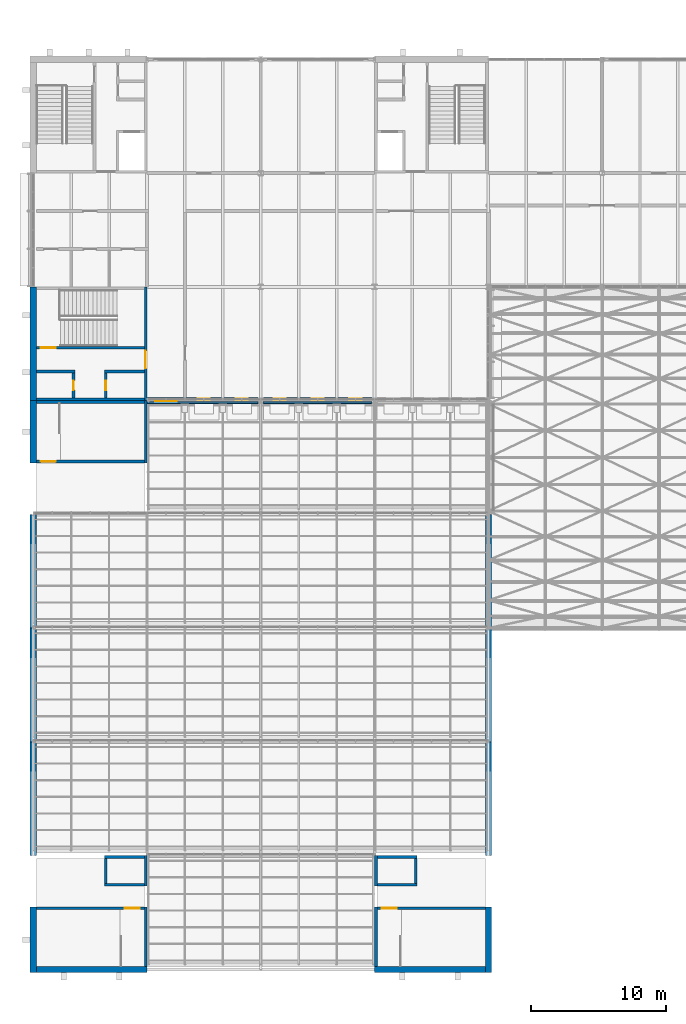
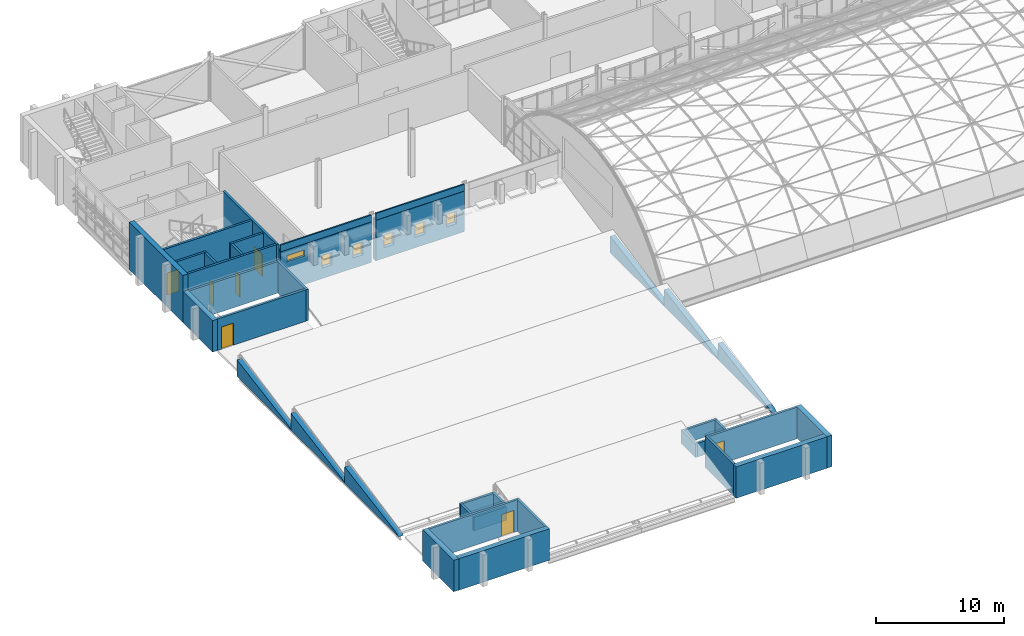
# One storey, part 82 of 121: 38 walls, 7 doors, 6 windows, 13 openings.
"""IFC4 building model written with IfcOpenShell, lengths in metres."""

from ifc_helpers import new_model, si_unit, direction, frame, frame_2d, origin, place, context, subcontext, project, spatial, polyline, rectangle, outline, extrude, material, layer, layer_set, type_object, element, fill, save


model = new_model("IFC4")

# Units and contexts
model_context = context("Model", 3, precision=1e-05, world=origin(), true_north=direction((0.0, 1.0)))
body_context = subcontext(model_context, "Body", "Model", "MODEL_VIEW")
ifc_project = project(units=[si_unit("LENGTHUNIT", "METRE"), si_unit("AREAUNIT", "SQUARE_METRE"), si_unit("VOLUMEUNIT", "CUBIC_METRE"), si_unit("PLANEANGLEUNIT", "RADIAN"), si_unit("MASSUNIT", "GRAM", prefix="KILO")], contexts=[model_context])

# Site, building, storey
site_placement = place(None, origin())
site = spatial("IfcSite", under=ifc_project, at=site_placement, CompositionType="ELEMENT")
building_placement = place(site_placement, origin())
building = spatial("IfcBuilding", under=site, at=building_placement, Name="Ardhachandra Cancer Care Centre", CompositionType="ELEMENT")
storey_placement = place(building_placement, frame((0.0, 0.0, 9.0)))
storey = spatial("IfcBuildingStorey", under=building, at=storey_placement, Name="L02", CompositionType="ELEMENT", Elevation=9.0)

# Wall, openings, windows
ifc_material_1 = material(Name="Brick masonry (clay brick, cement mortar) with mineral wool cavity insulation", Category="masonry")
ifc_layer_1 = layer(ifc_material_1, 0.449951171875)
ifc_layer_set_1 = layer_set([ifc_layer_1], Name="Brick masonry (clay brick, cement mortar) with mineral wool cavity insulation")
wall_type_1 = type_object("IfcWallType", Name="Brick wall 450", PredefinedType="SOLIDWALL", material=ifc_layer_set_1)
wall_1_placement = place(storey_placement, frame((19.199951171875, 71.39990234375, 0.0), z_axis=(0.0, 0.0, 1.0), x_axis=(1.0, 0.0, 0.0)))
wall_1 = element("IfcWall", 1, at=wall_1_placement, inside=storey, type_object=wall_type_1, Name="E/wall/L02/s/0019200_0071400", PredefinedType="SOLIDWALL", context=body_context, shape_type="SweptSolid", body=[
    extrude(rectangle(XDim=8.20458984375, YDim=0.449951171875, at=frame_2d((4.102294921875, 0.0))), origin(), (0.0, 0.0, 1.0), 3.85009765625),
])
opening_1_placement = place(wall_1_placement, frame((0.60009765625, 0.0, 2.699951171875)))
opening_1 = element("IfcOpeningElement", 2, at=opening_1_placement, cuts=wall_1, Name="Opening W3", PredefinedType="OPENING", context=body_context, shape_type="SweptSolid", body=[
    extrude(rectangle(XDim=1.60009765625, YDim=0.60009765625, at=frame_2d((0.800048828125, 0.300048828125))), frame((0.0, 0.23486328125, 0.0), z_axis=(0.0, -1.0, 0.0), x_axis=(1.0, 0.0, 0.0)), (0.0, 0.0, 1.0), 0.469970703125),
])
opening_2_placement = place(wall_1_placement, frame((3.75, 0.0, 1.0)))
opening_2 = element("IfcOpeningElement", 3, at=opening_2_placement, cuts=wall_1, Name="Opening W10", PredefinedType="OPENING", context=body_context, shape_type="SweptSolid", body=[
    extrude(rectangle(XDim=0.89990234375, YDim=1.199951171875, at=frame_2d((0.449951171875, 0.60009765625))), frame((0.0, 0.23486328125, 0.0), z_axis=(0.0, -1.0, 0.0), x_axis=(1.0, 0.0, 0.0)), (0.0, 0.0, 1.0), 0.469970703125),
])
opening_3_placement = place(wall_1_placement, frame((6.550048828125, 0.0, 1.0)))
opening_3 = element("IfcOpeningElement", 4, at=opening_3_placement, cuts=wall_1, Name="Opening W10", PredefinedType="OPENING", context=body_context, shape_type="SweptSolid", body=[
    extrude(rectangle(XDim=0.89990234375, YDim=1.199951171875, at=frame_2d((0.449951171875, 0.60009765625))), frame((0.0, 0.23486328125, 0.0), z_axis=(0.0, -1.0, 0.0), x_axis=(1.0, 0.0, 0.0)), (0.0, 0.0, 1.0), 0.469970703125),
])
ifc_material_2 = material(Name="Aluminium frame with double-glazed unit", Category="aluminium")
window_type_1 = type_object("IfcWindowType", Name="Clerestory window 1600 x 600", PartitioningType="SINGLE_PANEL", PredefinedType="WINDOW", material=ifc_material_2)
window_1_placement = place(opening_1_placement, origin())
window_1 = element("IfcWindow", 5, at=window_1_placement, inside=storey, type_object=window_type_1, Name="W3 window L02 s/0019200_0071400 1", OverallHeight=0.60009765625, OverallWidth=1.60009765625, PartitioningType="SINGLE_PANEL", PredefinedType="WINDOW", context=body_context, shape_type="SweptSolid", body=[
    extrude(rectangle(XDim=1.60009765625, YDim=0.60009765625, at=frame_2d((0.800048828125, 0.300048828125))), frame((0.0, 0.030029296875, 0.0), z_axis=(0.0, -1.0, 0.0), x_axis=(1.0, 0.0, 0.0)), (0.0, 0.0, 1.0), 0.06005859375),
])
fill(opening_1, window_1)
ifc_material_3 = material(Name="Aluminium frame with double-glazed unit", Category="aluminium")
window_type_2 = type_object("IfcWindowType", Name="Small deep-set window 900 x 1200", PartitioningType="SINGLE_PANEL", PredefinedType="WINDOW", material=ifc_material_3)
window_2_placement = place(opening_2_placement, origin())
window_2 = element("IfcWindow", 6, at=window_2_placement, inside=storey, type_object=window_type_2, Name="W10 window L02 s/0019200_0071400 2", OverallHeight=1.199951171875, OverallWidth=0.89990234375, PartitioningType="SINGLE_PANEL", PredefinedType="WINDOW", context=body_context, shape_type="SweptSolid", body=[
    extrude(rectangle(XDim=0.89990234375, YDim=1.199951171875, at=frame_2d((0.449951171875, 0.60009765625))), frame((0.0, 0.135009765625, 0.0), z_axis=(0.0, -1.0, 0.0), x_axis=(1.0, 0.0, 0.0)), (0.0, 0.0, 1.0), 0.06005859375),
])
fill(opening_2, window_2)
window_3_placement = place(opening_3_placement, origin())
window_3 = element("IfcWindow", 7, at=window_3_placement, inside=storey, type_object=window_type_2, Name="W10 window L02 s/0019200_0071400 3", OverallHeight=1.199951171875, OverallWidth=0.89990234375, PartitioningType="SINGLE_PANEL", PredefinedType="WINDOW", context=body_context, shape_type="SweptSolid", body=[
    extrude(rectangle(XDim=0.89990234375, YDim=1.199951171875, at=frame_2d((0.449951171875, 0.60009765625))), frame((0.0, 0.135009765625, 0.0), z_axis=(0.0, -1.0, 0.0), x_axis=(1.0, 0.0, 0.0)), (0.0, 0.0, 1.0), 0.06005859375),
])
fill(opening_3, window_3)

wall_2_placement = place(storey_placement, frame((27.79541015625, 71.39990234375, 0.0), z_axis=(0.0, 0.0, 1.0), x_axis=(1.0, 0.0, 0.0)))
wall_2 = element("IfcWall", 8, at=wall_2_placement, inside=storey, type_object=wall_type_1, Name="E/wall/L02/s/0027600_0071400", PredefinedType="SOLIDWALL", context=body_context, shape_type="SweptSolid", body=[
    extrude(rectangle(XDim=8.009033203125, YDim=0.449951171875, at=frame_2d((4.00439453125, 0.0))), origin(), (0.0, 0.0, 1.0), 3.85009765625),
])
opening_4_placement = place(wall_2_placement, frame((0.75439453125, 0.0, 1.0)))
opening_4 = element("IfcOpeningElement", 9, at=opening_4_placement, cuts=wall_2, Name="Opening W10", PredefinedType="OPENING", context=body_context, shape_type="SweptSolid", body=[
    extrude(rectangle(XDim=0.89990234375, YDim=1.199951171875, at=frame_2d((0.449951171875, 0.60009765625))), frame((0.0, 0.23486328125, 0.0), z_axis=(0.0, -1.0, 0.0), x_axis=(1.0, 0.0, 0.0)), (0.0, 0.0, 1.0), 0.469970703125),
])
opening_5_placement = place(wall_2_placement, frame((3.554443359375, 0.0, 1.0)))
opening_5 = element("IfcOpeningElement", 10, at=opening_5_placement, cuts=wall_2, Name="Opening W10", PredefinedType="OPENING", context=body_context, shape_type="SweptSolid", body=[
    extrude(rectangle(XDim=0.89990234375, YDim=1.199951171875, at=frame_2d((0.449951171875, 0.60009765625))), frame((0.0, 0.23486328125, 0.0), z_axis=(0.0, -1.0, 0.0), x_axis=(1.0, 0.0, 0.0)), (0.0, 0.0, 1.0), 0.469970703125),
])
opening_6_placement = place(wall_2_placement, frame((6.3544921875, 0.0, 1.0)))
opening_6 = element("IfcOpeningElement", 11, at=opening_6_placement, cuts=wall_2, Name="Opening W10", PredefinedType="OPENING", context=body_context, shape_type="SweptSolid", body=[
    extrude(rectangle(XDim=0.89990234375, YDim=1.199951171875, at=frame_2d((0.449951171875, 0.60009765625))), frame((0.0, 0.23486328125, 0.0), z_axis=(0.0, -1.0, 0.0), x_axis=(1.0, 0.0, 0.0)), (0.0, 0.0, 1.0), 0.469970703125),
])
window_4_placement = place(opening_4_placement, origin())
window_4 = element("IfcWindow", 12, at=window_4_placement, inside=storey, type_object=window_type_2, Name="W10 window L02 s/0027600_0071400 1", OverallHeight=1.199951171875, OverallWidth=0.89990234375, PartitioningType="SINGLE_PANEL", PredefinedType="WINDOW", context=body_context, shape_type="SweptSolid", body=[
    extrude(rectangle(XDim=0.89990234375, YDim=1.199951171875, at=frame_2d((0.449951171875, 0.60009765625))), frame((0.0, 0.135009765625, 0.0), z_axis=(0.0, -1.0, 0.0), x_axis=(1.0, 0.0, 0.0)), (0.0, 0.0, 1.0), 0.06005859375),
])
fill(opening_4, window_4)
window_5_placement = place(opening_5_placement, origin())
window_5 = element("IfcWindow", 13, at=window_5_placement, inside=storey, type_object=window_type_2, Name="W10 window L02 s/0027600_0071400 2", OverallHeight=1.199951171875, OverallWidth=0.89990234375, PartitioningType="SINGLE_PANEL", PredefinedType="WINDOW", context=body_context, shape_type="SweptSolid", body=[
    extrude(rectangle(XDim=0.89990234375, YDim=1.199951171875, at=frame_2d((0.449951171875, 0.60009765625))), frame((0.0, 0.135009765625, 0.0), z_axis=(0.0, -1.0, 0.0), x_axis=(1.0, 0.0, 0.0)), (0.0, 0.0, 1.0), 0.06005859375),
])
fill(opening_5, window_5)
window_6_placement = place(opening_6_placement, origin())
window_6 = element("IfcWindow", 14, at=window_6_placement, inside=storey, type_object=window_type_2, Name="W10 window L02 s/0027600_0071400 3", OverallHeight=1.199951171875, OverallWidth=0.89990234375, PartitioningType="SINGLE_PANEL", PredefinedType="WINDOW", context=body_context, shape_type="SweptSolid", body=[
    extrude(rectangle(XDim=0.89990234375, YDim=1.199951171875, at=frame_2d((0.449951171875, 0.60009765625))), frame((0.0, 0.135009765625, 0.0), z_axis=(0.0, -1.0, 0.0), x_axis=(1.0, 0.0, 0.0)), (0.0, 0.0, 1.0), 0.06005859375),
])
fill(opening_6, window_6)

# Walls
ifc_material_4 = material(Name="Concrete M40", Category="concrete")
ifc_layer_2 = layer(ifc_material_4, 0.449951171875)
ifc_layer_set_2 = layer_set([ifc_layer_2], Name="Concrete M40")
wall_type_2 = type_object("IfcWallType", Name="Core exterior wall RC 450", PredefinedType="SOLIDWALL", material=ifc_layer_set_2)
wall_3_placement = place(storey_placement, frame((10.800048828125, 29.175048828125, 0.0), z_axis=(0.0, 0.0, 1.0), x_axis=(0.0, 1.0, 0.0)))
element("IfcWall", 15, at=wall_3_placement, inside=storey, type_object=wall_type_2, Name="Stair head-house wall K1 FAR", PredefinedType="SOLIDWALL", context=body_context, shape_type="SweptSolid", body=[
    extrude(rectangle(XDim=4.849853515625, YDim=0.449951171875, at=frame_2d((2.4248046875, 0.0))), origin(), (0.0, 0.0, 1.0), 3.0),
])
wall_4_placement = place(storey_placement, frame((19.199951171875, 29.39990234375, 0.0), z_axis=(0.0, 0.0, 1.0), x_axis=(-1.0, 0.0, 0.0)))
element("IfcWall", 16, at=wall_4_placement, inside=storey, type_object=wall_type_2, Name="Stair head-house wall K1 UW", PredefinedType="SOLIDWALL", context=body_context, shape_type="SweptSolid", body=[
    extrude(rectangle(XDim=8.175048828125, YDim=0.449951171875, at=frame_2d((4.08740234375, 0.0))), origin(), (0.0, 0.0, 1.0), 3.0),
])
wall_5_placement = place(storey_placement, frame((44.39990234375, 29.175048828125, 0.0), z_axis=(0.0, 0.0, 1.0), x_axis=(0.0, 1.0, 0.0)))
element("IfcWall", 17, at=wall_5_placement, inside=storey, type_object=wall_type_2, Name="Stair head-house wall K2 FAR", PredefinedType="SOLIDWALL", context=body_context, shape_type="SweptSolid", body=[
    extrude(rectangle(XDim=4.849853515625, YDim=0.449951171875, at=frame_2d((2.4248046875, 0.0))), origin(), (0.0, 0.0, 1.0), 3.0),
])
wall_6_placement = place(storey_placement, frame((36.0, 29.39990234375, 0.0), z_axis=(0.0, 0.0, 1.0), x_axis=(1.0, 0.0, 0.0)))
element("IfcWall", 18, at=wall_6_placement, inside=storey, type_object=wall_type_2, Name="Stair head-house wall K2 UW", PredefinedType="SOLIDWALL", context=body_context, shape_type="SweptSolid", body=[
    extrude(rectangle(XDim=8.175048828125, YDim=0.449951171875, at=frame_2d((4.08740234375, 0.0))), origin(), (0.0, 0.0, 1.0), 3.0),
])
wall_7_placement = place(storey_placement, frame((10.800048828125, 71.39990234375, 0.0), z_axis=(0.0, 0.0, 1.0), x_axis=(0.0, -1.0, 0.0)))
element("IfcWall", 19, at=wall_7_placement, inside=storey, type_object=wall_type_2, Name="Stair head-house wall K3 FAR", PredefinedType="SOLIDWALL", context=body_context, shape_type="SweptSolid", body=[
    extrude(rectangle(XDim=4.599853515625, YDim=0.449951171875, at=frame_2d((2.2998046875, 0.0))), origin(), (0.0, 0.0, 1.0), 3.0),
])
wall_8_placement = place(storey_placement, frame((10.800048828125, 79.800048828125, 0.0), z_axis=(0.0, 0.0, 1.0), x_axis=(0.0, -1.0, 0.0)))
element("IfcWall", 20, at=wall_8_placement, inside=storey, type_object=wall_type_2, Name="Core wall K6 FAR", PredefinedType="SOLIDWALL", context=body_context, shape_type="SweptSolid", body=[
    extrude(rectangle(XDim=8.400146484375, YDim=0.449951171875, at=frame_2d((4.2001953125, 0.0))), origin(), (0.0, 0.0, 1.0), 4.5),
])
ifc_material_5 = material(Name="Concrete M40", Category="concrete")
ifc_layer_3 = layer(ifc_material_5, 0.199951171875)
ifc_layer_set_3 = layer_set([ifc_layer_3], Name="Concrete M40")
wall_type_3 = type_object("IfcWallType", Name="Core wall RC 200", PredefinedType="SOLIDWALL", material=ifc_layer_set_3)
wall_9_placement = place(storey_placement, frame((19.10009765625, 29.625, 0.0), z_axis=(0.0, 0.0, 1.0), x_axis=(0.0, 1.0, 0.0)))
element("IfcWall", 21, at=wall_9_placement, inside=storey, type_object=wall_type_3, Name="Stair head-house wall K1 ENT", PredefinedType="SOLIDWALL", context=body_context, shape_type="SweptSolid", body=[
    extrude(rectangle(XDim=4.39990234375, YDim=0.199951171875, at=frame_2d((2.199951171875, 0.0))), origin(), (0.0, 0.0, 1.0), 3.0),
])

# Wall, opening, door
wall_10_placement = place(storey_placement, frame((19.0, 33.925048828125, 0.0), z_axis=(0.0, 0.0, 1.0), x_axis=(-1.0, 0.0, 0.0)))
wall_10 = element("IfcWall", 22, at=wall_10_placement, inside=storey, type_object=wall_type_3, Name="Stair head-house wall K1 P1", PredefinedType="SOLIDWALL", context=body_context, shape_type="SweptSolid", body=[
    extrude(rectangle(XDim=7.97509765625, YDim=0.199951171875, at=frame_2d((3.987548828125, 0.0))), origin(), (0.0, 0.0, 1.0), 3.0),
])
opening_7_placement = place(wall_10_placement, frame((0.33740234375, 0.0, 0.0)))
opening_7 = element("IfcOpeningElement", 23, at=opening_7_placement, cuts=wall_10, Name="Opening L02-K01-1", PredefinedType="OPENING", context=body_context, shape_type="SweptSolid", body=[
    extrude(rectangle(XDim=1.10009765625, YDim=2.10009765625, at=frame_2d((0.550048828125, 1.050048828125))), frame((0.0, 0.10986328125, 0.0), z_axis=(0.0, -1.0, 0.0), x_axis=(1.0, 0.0, 0.0)), (0.0, 0.0, 1.0), 0.219970703125),
])
ifc_material_6 = material(Name="Steel door set", Category="steel")
door_type_1 = type_object("IfcDoorType", Name="Stair door 1100x2100 FD60S", OperationType="NOTDEFINED", PredefinedType="DOOR", material=ifc_material_6)
door_1_placement = place(opening_7_placement, origin())
door_1 = element("IfcDoor", 24, at=door_1_placement, inside=storey, type_object=door_type_1, Name="Head-house door", OperationType="SINGLE_SWING_RIGHT", OverallHeight=2.10009765625, OverallWidth=1.10009765625, PredefinedType="DOOR", context=body_context, shape_type="SweptSolid", body=[
    extrude(rectangle(XDim=1.10009765625, YDim=2.10009765625, at=frame_2d((0.550048828125, 1.050048828125))), frame((0.0, 0.02490234375, 0.0), z_axis=(0.0, -1.0, 0.0), x_axis=(1.0, 0.0, 0.0)), (0.0, 0.0, 1.0), 0.050048828125),
])
fill(opening_7, door_1)

# Walls
wall_11_placement = place(storey_placement, frame((19.0, 35.64990234375, 0.0), z_axis=(0.0, 0.0, 1.0), x_axis=(-1.0, 0.0, 0.0)))
element("IfcWall", 25, at=wall_11_placement, inside=storey, type_object=wall_type_3, Name="Lift overrun wall K1A P2A", PredefinedType="SOLIDWALL", context=body_context, shape_type="SweptSolid", body=[
    extrude(rectangle(XDim=2.949951171875, YDim=0.199951171875, at=frame_2d((1.47509765625, 0.0))), origin(), (0.0, 0.0, 1.0), 1.300048828125),
])
wall_12_placement = place(storey_placement, frame((16.14990234375, 35.75, 0.0), z_axis=(0.0, 0.0, 1.0), x_axis=(0.0, 1.0, 0.0)))
element("IfcWall", 26, at=wall_12_placement, inside=storey, type_object=wall_type_3, Name="Lift overrun wall K1A W1", PredefinedType="SOLIDWALL", context=body_context, shape_type="SweptSolid", body=[
    extrude(rectangle(XDim=1.85009765625, YDim=0.199951171875, at=frame_2d((0.925048828125, 0.0))), origin(), (0.0, 0.0, 1.0), 1.300048828125),
])
wall_13_placement = place(storey_placement, frame((19.10009765625, 35.550048828125, 0.0), z_axis=(0.0, 0.0, 1.0), x_axis=(0.0, 1.0, 0.0)))
element("IfcWall", 27, at=wall_13_placement, inside=storey, type_object=wall_type_3, Name="Lift overrun wall K1A ENT", PredefinedType="SOLIDWALL", context=body_context, shape_type="SweptSolid", body=[
    extrude(rectangle(XDim=2.25, YDim=0.199951171875, at=frame_2d((1.125, 0.0))), origin(), (0.0, 0.0, 1.0), 1.300048828125),
])
wall_14_placement = place(storey_placement, frame((19.0, 37.699951171875, 0.0), z_axis=(0.0, 0.0, 1.0), x_axis=(-1.0, 0.0, 0.0)))
element("IfcWall", 28, at=wall_14_placement, inside=storey, type_object=wall_type_3, Name="Lift overrun wall K1A UE", PredefinedType="SOLIDWALL", context=body_context, shape_type="SweptSolid", body=[
    extrude(rectangle(XDim=2.949951171875, YDim=0.199951171875, at=frame_2d((1.47509765625, 0.0))), origin(), (0.0, 0.0, 1.0), 1.300048828125),
])
wall_15_placement = place(storey_placement, frame((36.10009765625, 29.625, 0.0), z_axis=(0.0, 0.0, 1.0), x_axis=(0.0, 1.0, 0.0)))
element("IfcWall", 29, at=wall_15_placement, inside=storey, type_object=wall_type_3, Name="Stair head-house wall K2 ENT", PredefinedType="SOLIDWALL", context=body_context, shape_type="SweptSolid", body=[
    extrude(rectangle(XDim=4.39990234375, YDim=0.199951171875, at=frame_2d((2.199951171875, 0.0))), origin(), (0.0, 0.0, 1.0), 3.0),
])

# Wall, opening, door
wall_16_placement = place(storey_placement, frame((36.199951171875, 33.925048828125, 0.0), z_axis=(0.0, 0.0, 1.0), x_axis=(1.0, 0.0, 0.0)))
wall_16 = element("IfcWall", 30, at=wall_16_placement, inside=storey, type_object=wall_type_3, Name="Stair head-house wall K2 P1", PredefinedType="SOLIDWALL", context=body_context, shape_type="SweptSolid", body=[
    extrude(rectangle(XDim=7.97509765625, YDim=0.199951171875, at=frame_2d((3.987548828125, 0.0))), origin(), (0.0, 0.0, 1.0), 3.0),
])
opening_8_placement = place(wall_16_placement, frame((0.33740234375, 0.0, 0.0)))
opening_8 = element("IfcOpeningElement", 31, at=opening_8_placement, cuts=wall_16, Name="Opening L02-K02-1", PredefinedType="OPENING", context=body_context, shape_type="SweptSolid", body=[
    extrude(rectangle(XDim=1.10009765625, YDim=2.10009765625, at=frame_2d((0.550048828125, 1.050048828125))), frame((0.0, 0.10986328125, 0.0), z_axis=(0.0, -1.0, 0.0), x_axis=(1.0, 0.0, 0.0)), (0.0, 0.0, 1.0), 0.219970703125),
])
door_2_placement = place(opening_8_placement, origin())
door_2 = element("IfcDoor", 32, at=door_2_placement, inside=storey, type_object=door_type_1, Name="Head-house door", OperationType="SINGLE_SWING_LEFT", OverallHeight=2.10009765625, OverallWidth=1.10009765625, PredefinedType="DOOR", context=body_context, shape_type="SweptSolid", body=[
    extrude(rectangle(XDim=1.10009765625, YDim=2.10009765625, at=frame_2d((0.550048828125, 1.050048828125))), frame((0.0, 0.02490234375, 0.0), z_axis=(0.0, -1.0, 0.0), x_axis=(1.0, 0.0, 0.0)), (0.0, 0.0, 1.0), 0.050048828125),
])
fill(opening_8, door_2)

# Walls
wall_17_placement = place(storey_placement, frame((36.199951171875, 35.64990234375, 0.0), z_axis=(0.0, 0.0, 1.0), x_axis=(1.0, 0.0, 0.0)))
element("IfcWall", 33, at=wall_17_placement, inside=storey, type_object=wall_type_3, Name="Lift overrun wall K2A P2A", PredefinedType="SOLIDWALL", context=body_context, shape_type="SweptSolid", body=[
    extrude(rectangle(XDim=2.949951171875, YDim=0.199951171875, at=frame_2d((1.47509765625, 0.0))), origin(), (0.0, 0.0, 1.0), 1.300048828125),
])
wall_18_placement = place(storey_placement, frame((39.050048828125, 35.75, 0.0), z_axis=(0.0, 0.0, 1.0), x_axis=(0.0, 1.0, 0.0)))
element("IfcWall", 34, at=wall_18_placement, inside=storey, type_object=wall_type_3, Name="Lift overrun wall K2A W1", PredefinedType="SOLIDWALL", context=body_context, shape_type="SweptSolid", body=[
    extrude(rectangle(XDim=1.85009765625, YDim=0.199951171875, at=frame_2d((0.925048828125, 0.0))), origin(), (0.0, 0.0, 1.0), 1.300048828125),
])
wall_19_placement = place(storey_placement, frame((36.10009765625, 35.550048828125, 0.0), z_axis=(0.0, 0.0, 1.0), x_axis=(0.0, 1.0, 0.0)))
element("IfcWall", 35, at=wall_19_placement, inside=storey, type_object=wall_type_3, Name="Lift overrun wall K2A ENT", PredefinedType="SOLIDWALL", context=body_context, shape_type="SweptSolid", body=[
    extrude(rectangle(XDim=2.25, YDim=0.199951171875, at=frame_2d((1.125, 0.0))), origin(), (0.0, 0.0, 1.0), 1.300048828125),
])
wall_20_placement = place(storey_placement, frame((36.199951171875, 37.699951171875, 0.0), z_axis=(0.0, 0.0, 1.0), x_axis=(1.0, 0.0, 0.0)))
element("IfcWall", 36, at=wall_20_placement, inside=storey, type_object=wall_type_3, Name="Lift overrun wall K2A UE", PredefinedType="SOLIDWALL", context=body_context, shape_type="SweptSolid", body=[
    extrude(rectangle(XDim=2.949951171875, YDim=0.199951171875, at=frame_2d((1.47509765625, 0.0))), origin(), (0.0, 0.0, 1.0), 1.300048828125),
])
wall_21_placement = place(storey_placement, frame((19.10009765625, 71.39990234375, 0.0), z_axis=(0.0, 0.0, 1.0), x_axis=(0.0, -1.0, 0.0)))
element("IfcWall", 37, at=wall_21_placement, inside=storey, type_object=wall_type_3, Name="Stair head-house wall K3 ENT", PredefinedType="SOLIDWALL", context=body_context, shape_type="SweptSolid", body=[
    extrude(rectangle(XDim=4.599853515625, YDim=0.199951171875, at=frame_2d((2.2998046875, 0.0))), origin(), (0.0, 0.0, 1.0), 3.0),
])
wall_22_placement = place(storey_placement, frame((19.0, 71.300048828125, 0.0), z_axis=(0.0, 0.0, 1.0), x_axis=(-1.0, 0.0, 0.0)))
element("IfcWall", 38, at=wall_22_placement, inside=storey, type_object=wall_type_3, Name="Stair head-house wall K3 UW", PredefinedType="SOLIDWALL", context=body_context, shape_type="SweptSolid", body=[
    extrude(rectangle(XDim=7.97509765625, YDim=0.199951171875, at=frame_2d((3.987548828125, 0.0))), origin(), (0.0, 0.0, 1.0), 3.0),
])

# Wall, opening, door
wall_23_placement = place(storey_placement, frame((19.0, 66.89990234375, 0.0), z_axis=(0.0, 0.0, 1.0), x_axis=(-1.0, 0.0, 0.0)))
wall_23 = element("IfcWall", 39, at=wall_23_placement, inside=storey, type_object=wall_type_3, Name="Stair head-house wall K3 P1", PredefinedType="SOLIDWALL", context=body_context, shape_type="SweptSolid", body=[
    extrude(rectangle(XDim=7.97509765625, YDim=0.199951171875, at=frame_2d((3.987548828125, 0.0))), origin(), (0.0, 0.0, 1.0), 3.0),
])
opening_9_placement = place(wall_23_placement, frame((6.53759765625, 0.0, 0.0)))
opening_9 = element("IfcOpeningElement", 40, at=opening_9_placement, cuts=wall_23, Name="Opening L02-K03-1", PredefinedType="OPENING", context=body_context, shape_type="SweptSolid", body=[
    extrude(rectangle(XDim=1.10009765625, YDim=2.10009765625, at=frame_2d((0.550048828125, 1.050048828125))), frame((0.0, 0.10986328125, 0.0), z_axis=(0.0, -1.0, 0.0), x_axis=(1.0, 0.0, 0.0)), (0.0, 0.0, 1.0), 0.219970703125),
])
door_3_placement = place(opening_9_placement, origin())
door_3 = element("IfcDoor", 41, at=door_3_placement, inside=storey, type_object=door_type_1, Name="Head-house door", OperationType="SINGLE_SWING_RIGHT", OverallHeight=2.10009765625, OverallWidth=1.10009765625, PredefinedType="DOOR", context=body_context, shape_type="SweptSolid", body=[
    extrude(rectangle(XDim=1.10009765625, YDim=2.10009765625, at=frame_2d((0.550048828125, 1.050048828125))), frame((0.0, 0.02490234375, 0.0), z_axis=(0.0, -1.0, 0.0), x_axis=(1.0, 0.0, 0.0)), (0.0, 0.0, 1.0), 0.050048828125),
])
fill(opening_9, door_3)

wall_24_placement = place(storey_placement, frame((19.10009765625, 79.800048828125, 0.0), z_axis=(0.0, 0.0, 1.0), x_axis=(0.0, -1.0, 0.0)))
wall_24 = element("IfcWall", 42, at=wall_24_placement, inside=storey, type_object=wall_type_3, Name="Core wall K6 ENT", PredefinedType="SOLIDWALL", context=body_context, shape_type="SweptSolid", body=[
    extrude(rectangle(XDim=8.400146484375, YDim=0.199951171875, at=frame_2d((4.2001953125, 0.0))), origin(), (0.0, 0.0, 1.0), 4.5),
])
opening_10_placement = place(wall_24_placement, frame((4.72509765625, 0.0, 0.0)))
opening_10 = element("IfcOpeningElement", 43, at=opening_10_placement, cuts=wall_24, Name="Opening L02-K06-1", PredefinedType="OPENING", context=body_context, shape_type="SweptSolid", body=[
    extrude(rectangle(XDim=1.300048828125, YDim=2.10009765625, at=frame_2d((0.64990234375, 1.050048828125))), frame((0.0, 0.10986328125, 0.0), z_axis=(0.0, -1.0, 0.0), x_axis=(1.0, 0.0, 0.0)), (0.0, 0.0, 1.0), 0.219970703125),
])
ifc_material_7 = material(Name="Steel door set", Category="steel")
door_type_2 = type_object("IfcDoorType", Name="Core entry double door 1300x2100 FD60", OperationType="DOUBLE_DOOR_DOUBLE_SWING", PredefinedType="DOOR", material=ifc_material_7)
door_4_placement = place(opening_10_placement, origin())
door_4 = element("IfcDoor", 44, at=door_4_placement, inside=storey, type_object=door_type_2, Name="Core entry door", OperationType="DOUBLE_DOOR_DOUBLE_SWING", OverallHeight=2.10009765625, OverallWidth=1.300048828125, PredefinedType="DOOR", context=body_context, shape_type="SweptSolid", body=[
    extrude(rectangle(XDim=1.300048828125, YDim=2.10009765625, at=frame_2d((0.64990234375, 1.050048828125))), frame((0.0, 0.02490234375, 0.0), z_axis=(0.0, -1.0, 0.0), x_axis=(1.0, 0.0, 0.0)), (0.0, 0.0, 1.0), 0.050048828125),
])
fill(opening_10, door_4)

# Wall
wall_25_placement = place(storey_placement, frame((19.0, 71.5, 0.0), z_axis=(0.0, 0.0, 1.0), x_axis=(-1.0, 0.0, 0.0)))
element("IfcWall", 45, at=wall_25_placement, inside=storey, type_object=wall_type_3, Name="Core wall K6 UE", PredefinedType="SOLIDWALL", context=body_context, shape_type="SweptSolid", body=[
    extrude(rectangle(XDim=7.97509765625, YDim=0.199951171875, at=frame_2d((3.987548828125, 0.0))), origin(), (0.0, 0.0, 1.0), 4.5),
])

# Wall, opening, door
wall_26_placement = place(storey_placement, frame((19.0, 75.300048828125, 0.0), z_axis=(0.0, 0.0, 1.0), x_axis=(-1.0, 0.0, 0.0)))
wall_26 = element("IfcWall", 46, at=wall_26_placement, inside=storey, type_object=wall_type_3, Name="Core wall K6 P1", PredefinedType="SOLIDWALL", context=body_context, shape_type="SweptSolid", body=[
    extrude(rectangle(XDim=7.97509765625, YDim=0.199951171875, at=frame_2d((3.987548828125, 0.0))), origin(), (0.0, 0.0, 1.0), 4.5),
])
opening_11_placement = place(wall_26_placement, frame((6.53759765625, 0.0, 0.0)))
opening_11 = element("IfcOpeningElement", 47, at=opening_11_placement, cuts=wall_26, Name="Opening L02-K06-2", PredefinedType="OPENING", context=body_context, shape_type="SweptSolid", body=[
    extrude(rectangle(XDim=1.10009765625, YDim=2.10009765625, at=frame_2d((0.550048828125, 1.050048828125))), frame((0.0, 0.10986328125, 0.0), z_axis=(0.0, -1.0, 0.0), x_axis=(1.0, 0.0, 0.0)), (0.0, 0.0, 1.0), 0.219970703125),
])
door_5_placement = place(opening_11_placement, origin())
door_5 = element("IfcDoor", 48, at=door_5_placement, inside=storey, type_object=door_type_1, Name="Stair door", OperationType="SINGLE_SWING_LEFT", OverallHeight=2.10009765625, OverallWidth=1.10009765625, PredefinedType="DOOR", context=body_context, shape_type="SweptSolid", body=[
    extrude(rectangle(XDim=1.10009765625, YDim=2.10009765625, at=frame_2d((0.550048828125, 1.050048828125))), frame((0.0, 0.02490234375, 0.0), z_axis=(0.0, -1.0, 0.0), x_axis=(1.0, 0.0, 0.0)), (0.0, 0.0, 1.0), 0.050048828125),
])
fill(opening_11, door_5)

# Walls
wall_27_placement = place(storey_placement, frame((19.0, 73.550048828125, 0.0), z_axis=(0.0, 0.0, 1.0), x_axis=(-1.0, 0.0, 0.0)))
element("IfcWall", 49, at=wall_27_placement, inside=storey, type_object=wall_type_3, Name="Core wall K6 P2A", PredefinedType="SOLIDWALL", context=body_context, shape_type="SweptSolid", body=[
    extrude(rectangle(XDim=2.949951171875, YDim=0.199951171875, at=frame_2d((1.47509765625, 0.0))), origin(), (0.0, 0.0, 1.0), 4.35009765625),
])
wall_28_placement = place(storey_placement, frame((13.875, 73.550048828125, 0.0), z_axis=(0.0, 0.0, 1.0), x_axis=(-1.0, 0.0, 0.0)))
element("IfcWall", 50, at=wall_28_placement, inside=storey, type_object=wall_type_3, Name="Core wall K6 P2B", PredefinedType="SOLIDWALL", context=body_context, shape_type="SweptSolid", body=[
    extrude(rectangle(XDim=2.85009765625, YDim=0.199951171875, at=frame_2d((1.425048828125, 0.0))), origin(), (0.0, 0.0, 1.0), 4.35009765625),
])

# Wall, opening, door
wall_29_placement = place(storey_placement, frame((16.14990234375, 73.449951171875, 0.0), z_axis=(0.0, 0.0, 1.0), x_axis=(0.0, -1.0, 0.0)))
wall_29 = element("IfcWall", 51, at=wall_29_placement, inside=storey, type_object=wall_type_3, Name="Core wall K6 W1", PredefinedType="SOLIDWALL", context=body_context, shape_type="SweptSolid", body=[
    extrude(rectangle(XDim=1.849853515625, YDim=0.199951171875, at=frame_2d((0.9248046875, 0.0))), origin(), (0.0, 0.0, 1.0), 4.35009765625),
])
opening_12_placement = place(wall_29_placement, frame((0.574951171875, 0.0, 0.0)))
opening_12 = element("IfcOpeningElement", 52, at=opening_12_placement, cuts=wall_29, Name="Opening L02-K06-3", PredefinedType="OPENING", context=body_context, shape_type="SweptSolid", body=[
    extrude(rectangle(XDim=0.699951171875, YDim=2.10009765625, at=frame_2d((0.35009765625, 1.050048828125))), frame((0.0, 0.10986328125, 0.0), z_axis=(0.0, -1.0, 0.0), x_axis=(1.0, 0.0, 0.0)), (0.0, 0.0, 1.0), 0.219970703125),
])
ifc_material_8 = material(Name="Steel door set", Category="steel")
door_type_3 = type_object("IfcDoorType", Name="Riser access door 700x2100 FD120S", OperationType="NOTDEFINED", PredefinedType="DOOR", material=ifc_material_8)
door_6_placement = place(opening_12_placement, origin())
door_6 = element("IfcDoor", 53, at=door_6_placement, inside=storey, type_object=door_type_3, Name="Riser access door", OperationType="SINGLE_SWING_RIGHT", OverallHeight=2.10009765625, OverallWidth=0.699951171875, PredefinedType="DOOR", context=body_context, shape_type="SweptSolid", body=[
    extrude(rectangle(XDim=0.699951171875, YDim=2.10009765625, at=frame_2d((0.35009765625, 1.050048828125))), frame((0.0, 0.02490234375, 0.0), z_axis=(0.0, -1.0, 0.0), x_axis=(1.0, 0.0, 0.0)), (0.0, 0.0, 1.0), 0.050048828125),
])
fill(opening_12, door_6)

wall_30_placement = place(storey_placement, frame((13.77490234375, 73.449951171875, 0.0), z_axis=(0.0, 0.0, 1.0), x_axis=(0.0, -1.0, 0.0)))
wall_30 = element("IfcWall", 54, at=wall_30_placement, inside=storey, type_object=wall_type_3, Name="Core wall K6 W2", PredefinedType="SOLIDWALL", context=body_context, shape_type="SweptSolid", body=[
    extrude(rectangle(XDim=1.849853515625, YDim=0.199951171875, at=frame_2d((0.9248046875, 0.0))), origin(), (0.0, 0.0, 1.0), 4.35009765625),
])
opening_13_placement = place(wall_30_placement, frame((0.574951171875, 0.0, 0.0)))
opening_13 = element("IfcOpeningElement", 55, at=opening_13_placement, cuts=wall_30, Name="Opening L02-K06-4", PredefinedType="OPENING", context=body_context, shape_type="SweptSolid", body=[
    extrude(rectangle(XDim=0.699951171875, YDim=2.10009765625, at=frame_2d((0.35009765625, 1.050048828125))), frame((0.0, 0.10986328125, 0.0), z_axis=(0.0, -1.0, 0.0), x_axis=(1.0, 0.0, 0.0)), (0.0, 0.0, 1.0), 0.219970703125),
])
door_7_placement = place(opening_13_placement, origin())
door_7 = element("IfcDoor", 56, at=door_7_placement, inside=storey, type_object=door_type_3, Name="Riser access door", OperationType="SINGLE_SWING_RIGHT", OverallHeight=2.10009765625, OverallWidth=0.699951171875, PredefinedType="DOOR", context=body_context, shape_type="SweptSolid", body=[
    extrude(rectangle(XDim=0.699951171875, YDim=2.10009765625, at=frame_2d((0.35009765625, 1.050048828125))), frame((0.0, 0.02490234375, 0.0), z_axis=(0.0, -1.0, 0.0), x_axis=(1.0, 0.0, 0.0)), (0.0, 0.0, 1.0), 0.050048828125),
])
fill(opening_13, door_7)

# Walls
ifc_material_9 = material(Name="Precast Concrete M30 fascia panel with brick slip facing", Category="masonry")
ifc_layer_4 = layer(ifc_material_9, 0.1298828125)
ifc_layer_set_4 = layer_set([ifc_layer_4], Name="Precast Concrete M30 fascia panel with brick slip facing")
wall_type_4 = type_object("IfcWallType", Name="Edge beam fascia 130", PredefinedType="SOLIDWALL", material=ifc_layer_set_4)
wall_31_placement = place(storey_placement, frame((19.199951171875, 71.239990234375, 3.8701171875), z_axis=(0.0, 0.0, 1.0), x_axis=(1.0, 0.0, 0.0)))
element("IfcWall", 57, at=wall_31_placement, inside=storey, type_object=wall_type_4, Name="E/fascia/L02/s/0019200_0071400", PredefinedType="SOLIDWALL", context=body_context, shape_type="SweptSolid", body=[
    extrude(rectangle(XDim=8.20458984375, YDim=0.1298828125, at=frame_2d((4.102294921875, 0.0))), origin(), (0.0, 0.0, 1.0), 0.6298828125),
])
wall_32_placement = place(storey_placement, frame((27.79541015625, 71.239990234375, 3.8701171875), z_axis=(0.0, 0.0, 1.0), x_axis=(1.0, 0.0, 0.0)))
element("IfcWall", 58, at=wall_32_placement, inside=storey, type_object=wall_type_4, Name="E/fascia/L02/s/0027600_0071400", PredefinedType="SOLIDWALL", context=body_context, shape_type="SweptSolid", body=[
    extrude(rectangle(XDim=8.009033203125, YDim=0.1298828125, at=frame_2d((4.00439453125, 0.0))), origin(), (0.0, 0.0, 1.0), 0.6298828125),
])
ifc_material_10 = material(Name="Brick masonry (clay brick, cement mortar) with mineral wool cavity insulation", Category="masonry")
ifc_layer_5 = layer(ifc_material_10, 0.449951171875)
ifc_layer_set_5 = layer_set([ifc_layer_5], Name="Brick masonry (clay brick, cement mortar) with mineral wool cavity insulation")
wall_type_5 = type_object("IfcWallType", Name="Gable infill wall 450", PredefinedType="SOLIDWALL", material=ifc_layer_set_5)
for number, where, z_axis, x_axis, name in (
    (59, (10.800048828125, 37.800048828125, 0.0), (0.0, 0.0, 1.0), (0.0, 1.0, 0.0), "Tooth end wall T2a w"),
    (60, (44.39990234375, 37.800048828125, 0.0), (0.0, 0.0, 1.0), (0.0, 1.0, 0.0), "Tooth end wall T2a e"),
    (61, (10.800048828125, 46.199951171875, 0.0), (0.0, 0.0, 1.0), (0.0, 1.0, 0.0), "Tooth end wall T3a w"),
    (62, (44.39990234375, 46.199951171875, 0.0), (0.0, 0.0, 1.0), (0.0, 1.0, 0.0), "Tooth end wall T3a e"),
    (63, (10.800048828125, 54.60009765625, 0.0), (0.0, 0.0, 1.0), (0.0, 1.0, 0.0), "Tooth end wall T4a w"),
    (64, (44.39990234375, 54.60009765625, 0.0), (0.0, 0.0, 1.0), (0.0, 1.0, 0.0), "Tooth end wall T4a e"),
):
    element("IfcWall", number, at=place(storey_placement, frame(where, z_axis=z_axis, x_axis=x_axis)), inside=storey, type_object=wall_type_5, Name=name, PredefinedType="SOLIDWALL", context=body_context, shape_type="SweptSolid", body=[
        extrude(outline(polyline([(0.0, 0.0), (8.39990234375, 0.0), (8.39990234375, 1.580078125), (0.39990234375, 0.199951171875), (0.0, 0.0)])), frame((0.0, 0.22509765625, 0.0), z_axis=(0.0, -1.0, 0.0), x_axis=(1.0, 0.0, 0.0)), (0.0, 0.0, 1.0), 0.449951171875),
    ])

save(model, "model.ifc")
